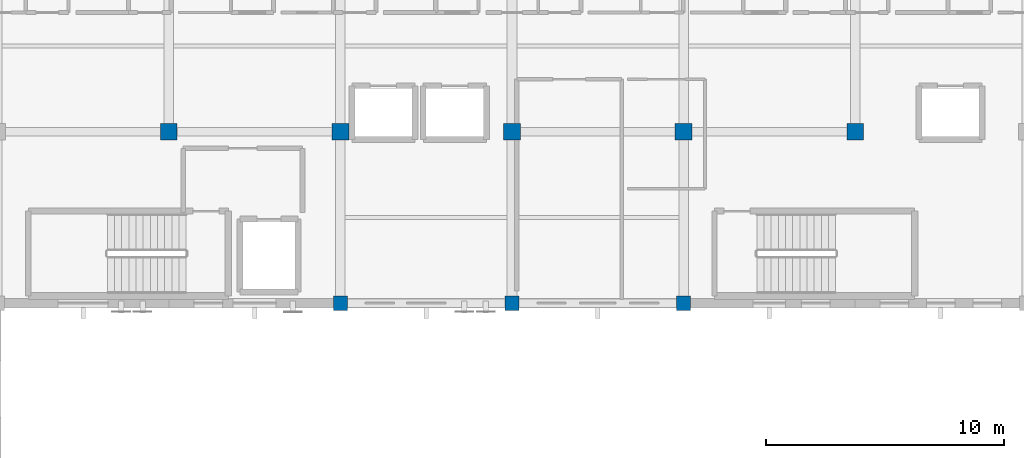
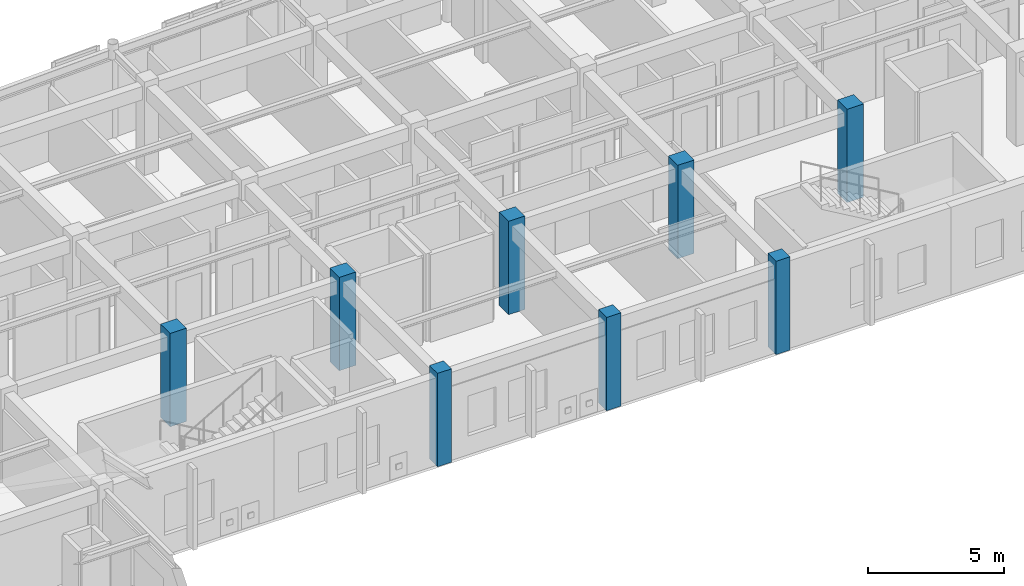
# One storey, part 9 of 113: 8 columns.
"""IFC4 building model written with IfcOpenShell, lengths in metres."""

from ifc_helpers import new_model, si_unit, direction, frame, origin, origin_2d, place, context, subcontext, project, spatial, rectangle, extrude, material, material_profile, profile_set, type_object, element, save


model = new_model("IFC4")

# Units and contexts
model_context = context("Model", 3, precision=1e-05, world=origin(), true_north=direction((0.0, 1.0)))
body_context = subcontext(model_context, "Body", "Model", "MODEL_VIEW")
ifc_project = project(units=[si_unit("LENGTHUNIT", "METRE"), si_unit("AREAUNIT", "SQUARE_METRE"), si_unit("VOLUMEUNIT", "CUBIC_METRE"), si_unit("PLANEANGLEUNIT", "RADIAN"), si_unit("MASSUNIT", "GRAM", prefix="KILO")], contexts=[model_context])

# Site, building, storey
site_placement = place(None, origin())
site = spatial("IfcSite", under=ifc_project, at=site_placement, CompositionType="ELEMENT")
building_placement = place(site_placement, origin())
building = spatial("IfcBuilding", under=site, at=building_placement, Name="Carrowvane Square Congress Hotel", CompositionType="ELEMENT")
storey_placement = place(building_placement, frame((0.0, 0.0, 15.0)))
storey = spatial("IfcBuildingStorey", under=building, at=storey_placement, Name="L03", CompositionType="ELEMENT", Elevation=15.0)

# Columns
ifc_material_1 = material(Name="Concrete C40/50", Category="concrete")
ifc_material_profile_1 = material_profile(ifc_material_1, rectangle(XDim=0.60009765625, YDim=0.60009765625, at=origin_2d()), Name="RC 600x600")
ifc_profile_set_1 = profile_set([ifc_material_profile_1], Name="Concrete C40/50")
column_type_1 = type_object("IfcColumnType", Name="COL-RC-600", PredefinedType="COLUMN", material=ifc_profile_set_1)
for number, where, z_axis, x_axis, name in (
    (1, (83.60009765625, 91.800048828125, 0.0), (0.0, 0.0, 1.0), (1.0, 0.0, 0.0), "L03 column 11/N"),
    (2, (90.800048828125, 91.800048828125, 0.0), (0.0, 0.0, 1.0), (1.0, 0.0, 0.0), "L03 column 12/N"),
    (3, (98.0, 91.800048828125, 0.0), (0.0, 0.0, 1.0), (1.0, 0.0, 0.0), "L03 column 13/N"),
):
    element("IfcColumn", number, at=place(storey_placement, frame(where, z_axis=z_axis, x_axis=x_axis)), inside=storey, type_object=column_type_1, Name=name, PredefinedType="COLUMN", context=body_context, shape_type="SweptSolid", body=[
        extrude(rectangle(XDim=0.60009765625, YDim=0.60009765625, at=origin_2d()), origin(), (0.0, 0.0, 1.0), 4.199951171875),
    ])
ifc_material_2 = material(Name="Concrete C40/50", Category="concrete")
ifc_material_profile_2 = material_profile(ifc_material_2, rectangle(XDim=0.699951171875, YDim=0.699951171875, at=origin_2d()), Name="RC 700x700")
ifc_profile_set_2 = profile_set([ifc_material_profile_2], Name="Concrete C40/50")
column_type_2 = type_object("IfcColumnType", Name="COL-RC-700", PredefinedType="COLUMN", material=ifc_profile_set_2)
for number, where, z_axis, x_axis, name in (
    (4, (76.39990234375, 99.0, 0.0), (0.0, 0.0, 1.0), (1.0, 0.0, 0.0), "L03 column 10/P"),
    (5, (83.60009765625, 99.0, 0.0), (0.0, 0.0, 1.0), (1.0, 0.0, 0.0), "L03 column 11/P"),
    (6, (90.800048828125, 99.0, 0.0), (0.0, 0.0, 1.0), (1.0, 0.0, 0.0), "L03 column 12/P"),
    (7, (98.0, 99.0, 0.0), (0.0, 0.0, 1.0), (1.0, 0.0, 0.0), "L03 column 13/P"),
    (8, (105.199951171875, 99.0, 0.0), (0.0, 0.0, 1.0), (1.0, 0.0, 0.0), "L03 column 14/P"),
):
    element("IfcColumn", number, at=place(storey_placement, frame(where, z_axis=z_axis, x_axis=x_axis)), inside=storey, type_object=column_type_2, Name=name, PredefinedType="COLUMN", context=body_context, shape_type="SweptSolid", body=[
        extrude(rectangle(XDim=0.699951171875, YDim=0.699951171875, at=origin_2d()), origin(), (0.0, 0.0, 1.0), 4.199951171875),
    ])

save(model, "model.ifc")
